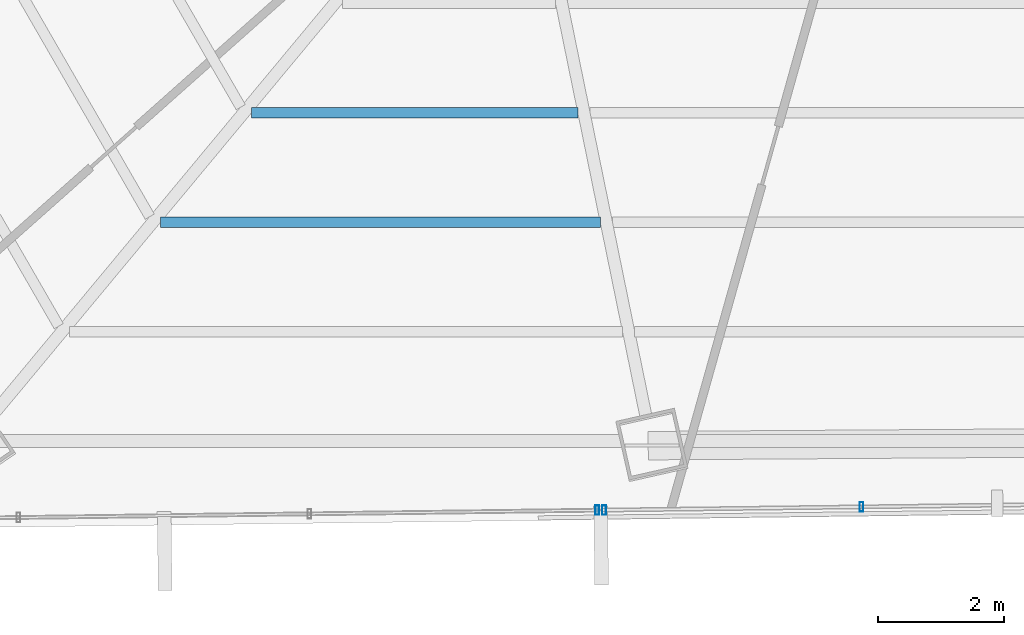
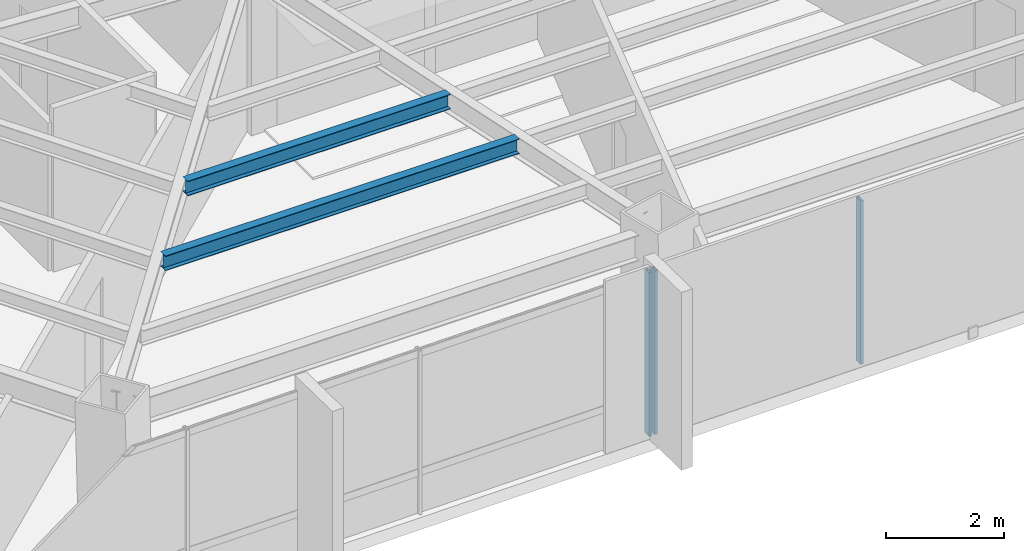
# One storey, part 8 of 41: 3 members, 2 beams, 2 elements without a shape of their own.
"""IFC4 building model written with IfcOpenShell, lengths in metres."""

from ifc_helpers import new_model, si_unit, direction, frame, origin, origin_2d, place, context, subcontext, project, spatial, hollow_rectangle, i_section, extrude, source, transform, mapped, material, material_profile, profile_set, type_object, type_shapes, element, aggregate, save


model = new_model("IFC4")

# Units and contexts
model_context = context("Model", 3, precision=1e-05, world=origin(), true_north=direction((0.0, 1.0)))
body_context = subcontext(model_context, "Body", "Model", "MODEL_VIEW")
ifc_project = project(units=[si_unit("LENGTHUNIT", "METRE"), si_unit("AREAUNIT", "SQUARE_METRE"), si_unit("VOLUMEUNIT", "CUBIC_METRE"), si_unit("PLANEANGLEUNIT", "RADIAN"), si_unit("MASSUNIT", "GRAM", prefix="KILO")], contexts=[model_context])

# Site, building, storey
site_placement = place(None, origin())
site = spatial("IfcSite", under=ifc_project, at=site_placement, CompositionType="ELEMENT")
building_placement = place(site_placement, origin())
building = spatial("IfcBuilding", under=site, at=building_placement, Name="Caelisora Broadcast Tower", CompositionType="ELEMENT")
storey_placement = place(building_placement, frame((0.0, 0.0, 135.449951171875)))
storey = spatial("IfcBuildingStorey", under=building, at=storey_placement, Name="L35", CompositionType="ELEMENT", Elevation=135.449951171875)

# Beams
ifc_material_1 = material(Name="Steel Grade 350 (AS/NZS 3679.1)", Category="steel")
ifc_material_profile_1 = material_profile(ifc_material_1, i_section(OverallWidth=0.166015625, OverallDepth=0.30712890625, WebThickness=0.006591796875, FlangeThickness=0.01171875, at=origin_2d()), Name="Steel Grade 350 (AS/NZS 3679.1)")
ifc_profile_set_1 = profile_set([ifc_material_profile_1], Name="Steel Grade 350 (AS/NZS 3679.1)")
beam_type = type_object("IfcBeamType", Name="SB03", PredefinedType="JOIST", material=ifc_profile_set_1)
shared_shape_1 = source(origin(), body_context, "Body", "SweptSolid", [
    extrude(i_section(OverallWidth=0.166015625, OverallDepth=0.30712890625, WebThickness=0.006591796875, FlangeThickness=0.01171875, at=origin_2d()), origin(), (0.0, 0.0, 1.0), 5.162353515625),
])
beam_1_placement = place(storey_placement, frame((26.30419921875, 12.2041015625, 3.246337890625), z_axis=(1.0, 0.0, 0.0), x_axis=(0.0, 1.0, 0.0)))
element("IfcBeam", 1, at=beam_1_placement, inside=storey, type_object=beam_type, Name="L35 beam SB03", PredefinedType="JOIST", context=body_context, shape_type="MappedRepresentation", body=[
    mapped(shared_shape_1, transform((0.0, 0.0, 0.0), scale=1.0)),
])
shared_shape_2 = source(origin(), body_context, "Body", "SweptSolid", [
    extrude(i_section(OverallWidth=0.166015625, OverallDepth=0.30712890625, WebThickness=0.006591796875, FlangeThickness=0.01171875, at=origin_2d()), origin(), (0.0, 0.0, 1.0), 6.955078125),
])
type_shapes(beam_type, [shared_shape_1, shared_shape_2])
beam_2_placement = place(storey_placement, frame((24.865234375, 10.472412109375, 3.246337890625), z_axis=(1.0, 0.0, 0.0), x_axis=(0.0, 1.0, 0.0)))
element("IfcBeam", 2, at=beam_2_placement, inside=storey, type_object=beam_type, Name="L35 beam SB03", PredefinedType="JOIST", context=body_context, shape_type="MappedRepresentation", body=[
    mapped(shared_shape_2, transform((0.0, 0.0, 0.0), scale=1.0)),
])

# Curtain wall, members
ifc_material_2 = material(Name="Unitised Aluminium Insulated Shadow-Box Spandrel Curtain Wall", Category="aluminium")
curtain_wall_type_1 = type_object("IfcCurtainWallType", Name="CW-SP2", PredefinedType="NOTDEFINED", material=ifc_material_2)
curtain_wall_1_placement = place(storey_placement, origin())
curtain_wall_1 = element("IfcCurtainWall", 3, at=curtain_wall_1_placement, inside=storey, type_object=curtain_wall_type_1, Name="L35 curtain wall CW-SP2", PredefinedType="NOTDEFINED")
ifc_material_3 = material(Name="Aluminium 6063-T6 Anodised Terracotta Bronze", Category="aluminium")
ifc_material_profile_2 = material_profile(ifc_material_3, hollow_rectangle(XDim=0.06005859375, YDim=0.14990234375, WallThickness=0.00341796875, at=origin_2d()), Name="Aluminium 6063-T6 Anodised Terracotta Bronze")
ifc_profile_set_2 = profile_set([ifc_material_profile_2], Name="Aluminium 6063-T6 Anodised Terracotta Bronze")
member_type = type_object("IfcMemberType", Name="CWM-03", PredefinedType="MULLION", material=ifc_profile_set_2)
shared_shape_3 = source(origin(), body_context, "Body", "SweptSolid", [
    extrude(hollow_rectangle(XDim=0.06005859375, YDim=0.14990234375, WallThickness=0.00341796875, at=origin_2d()), origin(), (0.0, 0.0, 1.0), 3.400146484375),
])
type_shapes(member_type, [shared_shape_3])
member_1_placement = place(storey_placement, frame((35.95166015625, 5.968017578125, 0.0), z_axis=(0.0, 0.0, 1.0), x_axis=(1.0, 0.0, 0.0)))
member_1 = element("IfcMember", 4, at=member_1_placement, type_object=member_type, Name="L35-CW-B06 mullion #2", PredefinedType="MULLION", context=body_context, shape_type="MappedRepresentation", body=[
    mapped(shared_shape_3, transform((0.0, 0.0, 0.0), scale=1.0)),
])
member_2_placement = place(storey_placement, frame((31.881103515625, 5.916748046875, 0.0), z_axis=(0.0, 0.0, 1.0), x_axis=(1.0, 0.0, 0.0)))
member_2 = element("IfcMember", 5, at=member_2_placement, type_object=member_type, Name="L35-CW-B06 mullion #3", PredefinedType="MULLION", context=body_context, shape_type="MappedRepresentation", body=[
    mapped(shared_shape_3, transform((0.0, 0.0, 0.0), scale=1.0)),
])
aggregate(curtain_wall_1, [member_1, member_2])

# Curtain wall, member
ifc_material_4 = material(Name="Unitised Aluminium and Low-E Glass Curtain Wall", Category="glass")
curtain_wall_type_2 = type_object("IfcCurtainWallType", Name="CW-Z3", PredefinedType="NOTDEFINED", material=ifc_material_4)
curtain_wall_2_placement = place(storey_placement, origin())
curtain_wall_2 = element("IfcCurtainWall", 6, at=curtain_wall_2_placement, inside=storey, type_object=curtain_wall_type_2, Name="L35 curtain wall CW-Z3", PredefinedType="NOTDEFINED")
member_3_placement = place(storey_placement, frame((31.771240234375, 5.915283203125, 0.0), z_axis=(0.0, 0.0, 1.0), x_axis=(1.0, 0.0, 0.0)))
member_3 = element("IfcMember", 7, at=member_3_placement, type_object=member_type, Name="L35-CW-B07 mullion #0", PredefinedType="MULLION", context=body_context, shape_type="MappedRepresentation", body=[
    mapped(shared_shape_3, transform((0.0, 0.0, 0.0), scale=1.0)),
])
aggregate(curtain_wall_2, [member_3])

save(model, "model.ifc")
